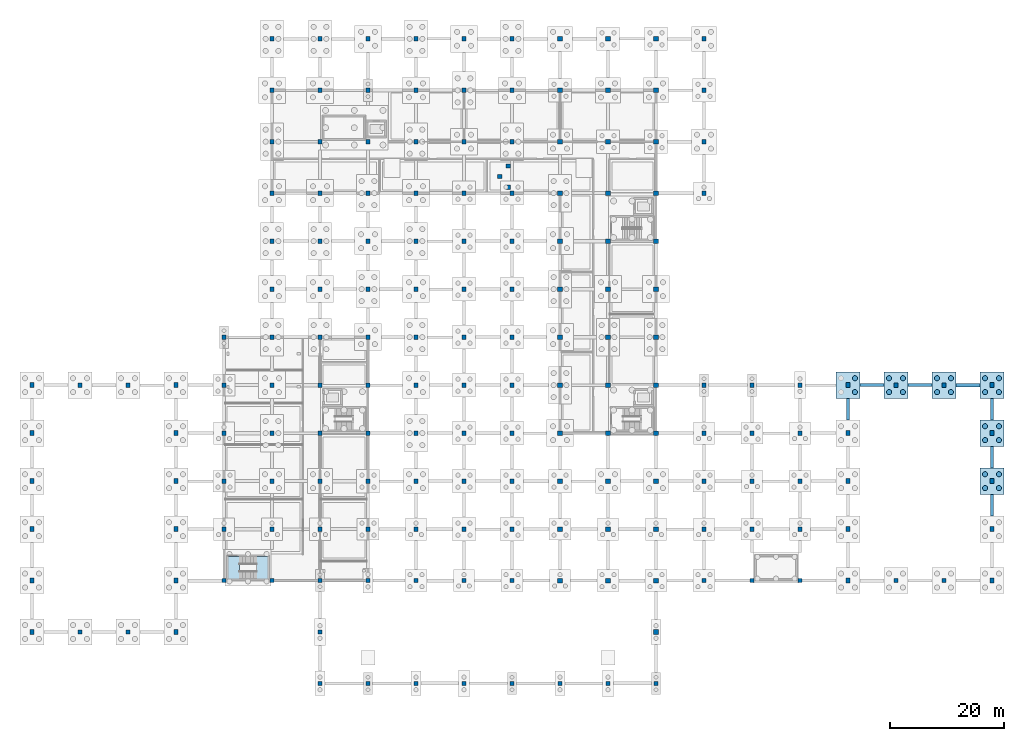
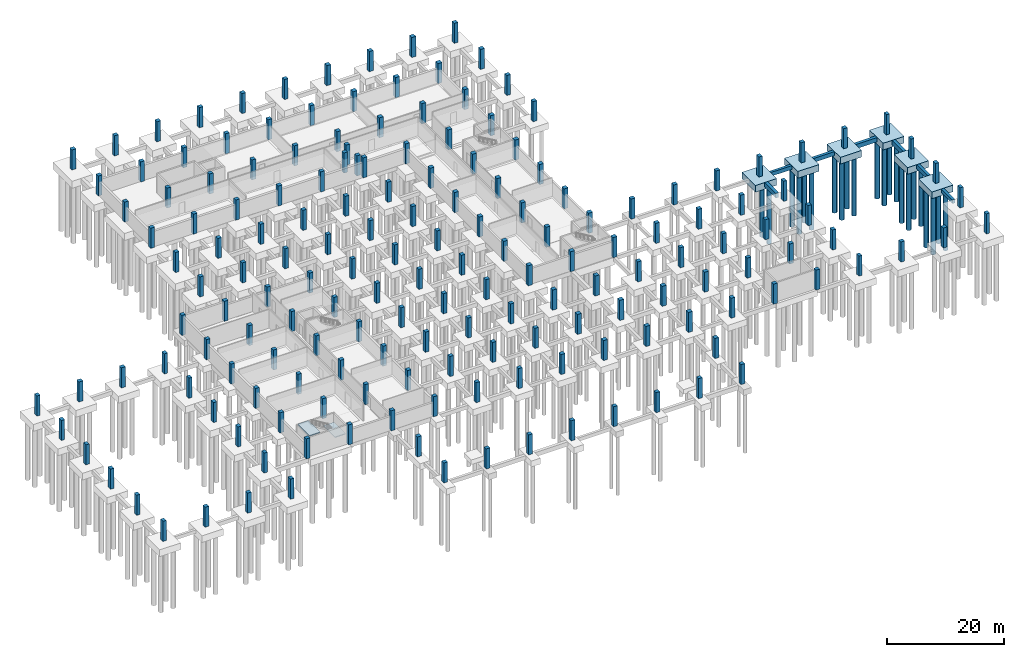
# One storey, part 10 of 20: 176 columns, 22 piles, 13 footings, 2 slabs, 1 element without a shape of its own.
"""IFC4 building model written with IfcOpenShell, lengths in metres."""

from ifc_helpers import new_model, si_unit, direction, frame, origin, origin_2d, place, context, subcontext, project, spatial, polyline, rectangle, circle, outline, extrude, material, layer, layer_set, material_profile, profile_set, type_object, element, aggregate, save


model = new_model("IFC4")

# Units and contexts
model_context = context("Model", 3, precision=1e-05, world=origin(), true_north=direction((0.0, 1.0)))
body_context = subcontext(model_context, "Body", "Model", "MODEL_VIEW")
ifc_project = project(units=[si_unit("LENGTHUNIT", "METRE"), si_unit("AREAUNIT", "SQUARE_METRE"), si_unit("VOLUMEUNIT", "CUBIC_METRE"), si_unit("PLANEANGLEUNIT", "RADIAN"), si_unit("MASSUNIT", "GRAM", prefix="KILO")], contexts=[model_context])

# Site, building, storey
site_placement = place(None, origin())
site = spatial("IfcSite", under=ifc_project, at=site_placement, CompositionType="ELEMENT")
building_placement = place(site_placement, origin())
building = spatial("IfcBuilding", under=site, at=building_placement, Name="Vireocrest Preparatory School", CompositionType="ELEMENT")
storey_placement = place(building_placement, frame((0.0, 0.0, -4.199951171875)))
storey = spatial("IfcBuildingStorey", under=building, at=storey_placement, Name="B01", CompositionType="ELEMENT", Elevation=-4.199951171875)

# Piles
ifc_material_1 = material(Name="Concrete 40 MPa", Category="concrete")
ifc_material_profile_1 = material_profile(ifc_material_1, circle(Radius=0.449951171875, at=origin_2d()), Name="BORED PILE 900")
ifc_profile_set_1 = profile_set([ifc_material_profile_1], Name="Concrete 40 MPa")
pile_type = type_object("IfcPileType", Name="Bored Concrete Pile 900", PredefinedType="BORED", material=ifc_profile_set_1)
for number, where, z_axis, x_axis, name in (
    (1, (144.014892578125, 50.985107421875, -1.300048828125), (0.0, 0.0, -1.0), (1.0, 0.0, 0.0), "Bored Pile P03 163-2"),
    (2, (144.014892578125, 53.4150390625, -1.300048828125), (0.0, 0.0, -1.0), (1.0, 0.0, 0.0), "Bored Pile P03 163-4"),
    (3, (149.985107421875, 50.985107421875, -1.300048828125), (0.0, 0.0, -1.0), (1.0, 0.0, 0.0), "Bored Pile P03 165-1"),
    (4, (152.4150390625, 50.985107421875, -1.300048828125), (0.0, 0.0, -1.0), (1.0, 0.0, 0.0), "Bored Pile P03 165-2"),
    (5, (149.985107421875, 53.4150390625, -1.300048828125), (0.0, 0.0, -1.0), (1.0, 0.0, 0.0), "Bored Pile P03 165-3"),
    (6, (152.4150390625, 53.4150390625, -1.300048828125), (0.0, 0.0, -1.0), (1.0, 0.0, 0.0), "Bored Pile P03 165-4"),
    (7, (158.385009765625, 50.985107421875, -1.300048828125), (0.0, 0.0, -1.0), (1.0, 0.0, 0.0), "Bored Pile P03 167-1"),
    (8, (160.81494140625, 50.985107421875, -1.300048828125), (0.0, 0.0, -1.0), (1.0, 0.0, 0.0), "Bored Pile P03 167-2"),
    (9, (158.385009765625, 53.4150390625, -1.300048828125), (0.0, 0.0, -1.0), (1.0, 0.0, 0.0), "Bored Pile P03 167-3"),
    (10, (160.81494140625, 53.4150390625, -1.300048828125), (0.0, 0.0, -1.0), (1.0, 0.0, 0.0), "Bored Pile P03 167-4"),
    (11, (166.784912109375, 34.18505859375, -1.300048828125), (0.0, 0.0, -1.0), (1.0, 0.0, 0.0), "Bored Pile P03 170-1"),
    (12, (169.215087890625, 34.18505859375, -1.300048828125), (0.0, 0.0, -1.0), (1.0, 0.0, 0.0), "Bored Pile P03 170-2"),
    (13, (166.784912109375, 36.614990234375, -1.300048828125), (0.0, 0.0, -1.0), (1.0, 0.0, 0.0), "Bored Pile P03 170-3"),
    (14, (169.215087890625, 36.614990234375, -1.300048828125), (0.0, 0.0, -1.0), (1.0, 0.0, 0.0), "Bored Pile P03 170-4"),
    (15, (166.784912109375, 42.5849609375, -1.300048828125), (0.0, 0.0, -1.0), (1.0, 0.0, 0.0), "Bored Pile P03 171-1"),
    (16, (169.215087890625, 42.5849609375, -1.300048828125), (0.0, 0.0, -1.0), (1.0, 0.0, 0.0), "Bored Pile P03 171-2"),
    (17, (166.784912109375, 45.014892578125, -1.300048828125), (0.0, 0.0, -1.0), (1.0, 0.0, 0.0), "Bored Pile P03 171-3"),
    (18, (169.215087890625, 45.014892578125, -1.300048828125), (0.0, 0.0, -1.0), (1.0, 0.0, 0.0), "Bored Pile P03 171-4"),
    (19, (166.784912109375, 50.985107421875, -1.300048828125), (0.0, 0.0, -1.0), (1.0, 0.0, 0.0), "Bored Pile P03 172-1"),
    (20, (169.215087890625, 50.985107421875, -1.300048828125), (0.0, 0.0, -1.0), (1.0, 0.0, 0.0), "Bored Pile P03 172-2"),
    (21, (166.784912109375, 53.4150390625, -1.300048828125), (0.0, 0.0, -1.0), (1.0, 0.0, 0.0), "Bored Pile P03 172-3"),
    (22, (169.215087890625, 53.4150390625, -1.300048828125), (0.0, 0.0, -1.0), (1.0, 0.0, 0.0), "Bored Pile P03 172-4"),
):
    element("IfcPile", number, at=place(storey_placement, frame(where, z_axis=z_axis, x_axis=x_axis)), inside=storey, type_object=pile_type, Name=name, PredefinedType="BORED", context=body_context, shape_type="SweptSolid", body=[
        extrude(circle(Radius=0.449951171875, at=origin_2d()), origin(), (0.0, 0.0, 1.0), 12.5),
    ])

# Footings
footing_type_1 = type_object("IfcFootingType", Name="Four-Pile Vault Pier Cap 4200x4600x1400", PredefinedType="PILE_CAP", material=ifc_material_1)
for number, where, z_axis, x_axis, name in (
    (23, (142.800048828125, 52.199951171875, -1.39990234375), (0.0, 0.0, 1.0), (1.0, 0.0, 0.0), "Pile Cap PC10 at (142.8, 52.2)"),
    (24, (151.199951171875, 52.199951171875, -1.39990234375), (0.0, 0.0, 1.0), (1.0, 0.0, 0.0), "Pile Cap PC10 at (151.2, 52.2)"),
    (25, (159.60009765625, 52.199951171875, -1.39990234375), (0.0, 0.0, 1.0), (1.0, 0.0, 0.0), "Pile Cap PC10 at (159.6, 52.2)"),
    (26, (168.0, 35.39990234375, -1.39990234375), (0.0, 0.0, 1.0), (1.0, 0.0, 0.0), "Pile Cap PC10 at (168.0, 35.4)"),
    (27, (168.0, 43.800048828125, -1.39990234375), (0.0, 0.0, 1.0), (1.0, 0.0, 0.0), "Pile Cap PC10 at (168.0, 43.8)"),
    (28, (168.0, 52.199951171875, -1.39990234375), (0.0, 0.0, 1.0), (1.0, 0.0, 0.0), "Pile Cap PC10 at (168.0, 52.2)"),
):
    element("IfcFooting", number, at=place(storey_placement, frame(where, z_axis=z_axis, x_axis=x_axis)), inside=storey, type_object=footing_type_1, Name=name, PredefinedType="PILE_CAP", context=body_context, shape_type="SweptSolid", body=[
        extrude(rectangle(XDim=4.199951171875, YDim=4.60009765625, at=origin_2d()), origin(), (0.0, 0.0, 1.0), 1.39990234375),
    ])
ifc_material_profile_2 = material_profile(ifc_material_1, rectangle(XDim=0.5, YDim=0.800048828125, at=origin_2d()), Name="GB 500x800")
ifc_profile_set_2 = profile_set([ifc_material_profile_2], Name="Concrete 40 MPa")
footing_type_2 = type_object("IfcFootingType", Name="RC Foundation Grade Beam 500x800", PredefinedType="FOOTING_BEAM", material=ifc_profile_set_2)
footing_1_placement = place(storey_placement, frame((144.89990234375, 52.199951171875, -0.400146484375), z_axis=(1.0, 0.0, 0.0), x_axis=(0.0, 1.0, 0.0)))
element("IfcFooting", 29, at=footing_1_placement, inside=storey, type_object=footing_type_2, Name="Foundation Grade Beam GB01-081", PredefinedType="FOOTING_BEAM", context=body_context, shape_type="SweptSolid", body=[
    extrude(rectangle(XDim=0.5, YDim=0.800048828125, at=origin_2d()), origin(), (0.0, 0.0, 1.0), 4.2001953125),
])
footing_2_placement = place(storey_placement, frame((168.0, 29.300048828125, -0.400146484375), z_axis=(0.0, 1.0, 0.0), x_axis=(-1.0, 0.0, 0.0)))
element("IfcFooting", 30, at=footing_2_placement, inside=storey, type_object=footing_type_2, Name="Foundation Grade Beam GB01-273", PredefinedType="FOOTING_BEAM", context=body_context, shape_type="SweptSolid", body=[
    extrude(rectangle(XDim=0.5, YDim=0.800048828125, at=origin_2d()), origin(), (0.0, 0.0, 1.0), 3.800048828125),
])
ifc_material_profile_3 = material_profile(ifc_material_1, rectangle(XDim=0.550048828125, YDim=0.85009765625, at=origin_2d()), Name="GB 550x850")
ifc_profile_set_3 = profile_set([ifc_material_profile_3], Name="Concrete 40 MPa")
footing_type_3 = type_object("IfcFootingType", Name="RC Foundation Grade Beam 550x850", PredefinedType="FOOTING_BEAM", material=ifc_profile_set_3)
footing_3_placement = place(storey_placement, frame((153.300048828125, 52.199951171875, -0.425048828125), z_axis=(1.0, 0.0, 0.0), x_axis=(0.0, 1.0, 0.0)))
element("IfcFooting", 31, at=footing_3_placement, inside=storey, type_object=footing_type_3, Name="Foundation Grade Beam GB02-082", PredefinedType="FOOTING_BEAM", context=body_context, shape_type="SweptSolid", body=[
    extrude(rectangle(XDim=0.550048828125, YDim=0.85009765625, at=origin_2d()), origin(), (0.0, 0.0, 1.0), 4.199951171875),
])
footing_4_placement = place(storey_placement, frame((168.0, 37.699951171875, -0.425048828125), z_axis=(0.0, 1.0, 0.0), x_axis=(-1.0, 0.0, 0.0)))
element("IfcFooting", 32, at=footing_4_placement, inside=storey, type_object=footing_type_3, Name="Foundation Grade Beam GB02-274", PredefinedType="FOOTING_BEAM", context=body_context, shape_type="SweptSolid", body=[
    extrude(rectangle(XDim=0.550048828125, YDim=0.85009765625, at=origin_2d()), origin(), (0.0, 0.0, 1.0), 3.800048828125),
])
ifc_material_profile_4 = material_profile(ifc_material_1, rectangle(XDim=0.60009765625, YDim=0.89990234375, at=origin_2d()), Name="GB 600x900")
ifc_profile_set_4 = profile_set([ifc_material_profile_4], Name="Concrete 40 MPa")
footing_type_4 = type_object("IfcFootingType", Name="RC Foundation Grade Beam 600x900", PredefinedType="FOOTING_BEAM", material=ifc_profile_set_4)
footing_5_placement = place(storey_placement, frame((161.699951171875, 52.199951171875, -0.449951171875), z_axis=(1.0, 0.0, 0.0), x_axis=(0.0, 1.0, 0.0)))
element("IfcFooting", 33, at=footing_5_placement, inside=storey, type_object=footing_type_4, Name="Foundation Grade Beam GB03-083", PredefinedType="FOOTING_BEAM", context=body_context, shape_type="SweptSolid", body=[
    extrude(rectangle(XDim=0.60009765625, YDim=0.89990234375, at=origin_2d()), origin(), (0.0, 0.0, 1.0), 4.199951171875),
])
footing_6_placement = place(storey_placement, frame((168.0, 46.10009765625, -0.449951171875), z_axis=(0.0, 1.0, 0.0), x_axis=(-1.0, 0.0, 0.0)))
element("IfcFooting", 34, at=footing_6_placement, inside=storey, type_object=footing_type_4, Name="Foundation Grade Beam GB03-275", PredefinedType="FOOTING_BEAM", context=body_context, shape_type="SweptSolid", body=[
    extrude(rectangle(XDim=0.60009765625, YDim=0.89990234375, at=origin_2d()), origin(), (0.0, 0.0, 1.0), 3.7998046875),
])
ifc_material_profile_5 = material_profile(ifc_material_1, rectangle(XDim=0.60009765625, YDim=0.949951171875, at=origin_2d()), Name="GB 600x950")
ifc_profile_set_5 = profile_set([ifc_material_profile_5], Name="Concrete 40 MPa")
footing_type_5 = type_object("IfcFootingType", Name="RC Vault Tie Grade Beam 600x950", PredefinedType="FOOTING_BEAM", material=ifc_profile_set_5)
footing_7_placement = place(storey_placement, frame((142.800048828125, 46.10009765625, -0.47509765625), z_axis=(0.0, 1.0, 0.0), x_axis=(-1.0, 0.0, 0.0)))
element("IfcFooting", 35, at=footing_7_placement, inside=storey, type_object=footing_type_5, Name="Foundation Grade Beam GB07-271", PredefinedType="FOOTING_BEAM", context=body_context, shape_type="SweptSolid", body=[
    extrude(rectangle(XDim=0.60009765625, YDim=0.949951171875, at=origin_2d()), origin(), (0.0, 0.0, 1.0), 3.7998046875),
])

# Columns
ifc_material_2 = material(Name="Concrete 45 MPa", Category="concrete")
ifc_material_profile_6 = material_profile(ifc_material_2, rectangle(XDim=0.75, YDim=0.75, at=origin_2d()), Name="RC 750x750")
ifc_profile_set_6 = profile_set([ifc_material_profile_6], Name="Concrete 45 MPa")
column_type_1 = type_object("IfcColumnType", Name="RC Foundation Pier 750x750", PredefinedType="COLUMN", material=ifc_profile_set_6)
for number, where, z_axis, x_axis, name in (
    (36, (8.39990234375, 9.0, 0.0), (0.0, 0.0, 1.0), (1.0, 0.0, 0.0), "Column C08 B01 2/B"),
    (37, (8.39990234375, 52.199951171875, 0.0), (0.0, 0.0, 1.0), (1.0, 0.0, 0.0), "Column C08 B01 2/G"),
    (38, (16.800048828125, 9.0, 0.0), (0.0, 0.0, 1.0), (1.0, 0.0, 0.0), "Column C08 B01 3/B"),
    (39, (16.800048828125, 52.199951171875, 0.0), (0.0, 0.0, 1.0), (1.0, 0.0, 0.0), "Column C08 B01 3/G"),
    (40, (33.60009765625, 18.0, 0.0), (0.0, 0.0, 1.0), (1.0, 0.0, 0.0), "Column C08 B01 5/C"),
    (41, (33.60009765625, 27.0, 0.0), (0.0, 0.0, 1.0), (1.0, 0.0, 0.0), "Column C08 B01 5/D"),
    (42, (33.60009765625, 35.39990234375, 0.0), (0.0, 0.0, 1.0), (1.0, 0.0, 0.0), "Column C08 B01 5/E"),
    (43, (33.60009765625, 43.800048828125, 0.0), (0.0, 0.0, 1.0), (1.0, 0.0, 0.0), "Column C08 B01 5/F"),
    (44, (33.60009765625, 52.199951171875, 0.0), (0.0, 0.0, 1.0), (1.0, 0.0, 0.0), "Column C08 B01 5/G"),
    (45, (33.60009765625, 60.60009765625, 0.0), (0.0, 0.0, 1.0), (1.0, 0.0, 0.0), "Column C08 B01 5/H"),
    (46, (42.0, 18.0, 0.0), (0.0, 0.0, 1.0), (1.0, 0.0, 0.0), "Column C08 B01 6/C"),
    (47, (42.0, 27.0, 0.0), (0.0, 0.0, 1.0), (1.0, 0.0, 0.0), "Column C08 B01 6/D"),
    (48, (42.0, 35.39990234375, 0.0), (0.0, 0.0, 1.0), (1.0, 0.0, 0.0), "Column C08 B01 6/E"),
    (49, (42.0, 43.800048828125, 0.0), (0.0, 0.0, 1.0), (1.0, 0.0, 0.0), "Column C08 B01 6/F"),
    (50, (42.0, 52.199951171875, 0.0), (0.0, 0.0, 1.0), (1.0, 0.0, 0.0), "Column C08 B01 6/G"),
    (51, (42.0, 60.60009765625, 0.0), (0.0, 0.0, 1.0), (1.0, 0.0, 0.0), "Column C08 B01 6/H"),
    (52, (42.0, 69.0, 0.0), (0.0, 0.0, 1.0), (1.0, 0.0, 0.0), "Column C08 B01 6/J"),
    (53, (42.0, 77.39990234375, 0.0), (0.0, 0.0, 1.0), (1.0, 0.0, 0.0), "Column C08 B01 6/K"),
    (54, (42.0, 85.800048828125, 0.0), (0.0, 0.0, 1.0), (1.0, 0.0, 0.0), "Column C08 B01 6/L"),
    (55, (42.0, 94.800048828125, 0.0), (0.0, 0.0, 1.0), (1.0, 0.0, 0.0), "Column C08 B01 6/M"),
    (56, (42.0, 103.800048828125, 0.0), (0.0, 0.0, 1.0), (1.0, 0.0, 0.0), "Column C08 B01 6/N"),
    (57, (42.0, 112.800048828125, 0.0), (0.0, 0.0, 1.0), (1.0, 0.0, 0.0), "Column C08 B01 6/P"),
    (58, (50.39990234375, 0.0, 0.0), (0.0, 0.0, 1.0), (1.0, 0.0, 0.0), "Column C08 B01 7/A"),
    (59, (50.39990234375, 9.0, 0.0), (0.0, 0.0, 1.0), (1.0, 0.0, 0.0), "Column C08 B01 7/B"),
    (60, (50.39990234375, 18.0, 0.0), (0.0, 0.0, 1.0), (1.0, 0.0, 0.0), "Column C08 B01 7/C"),
    (61, (50.39990234375, 27.0, 0.0), (0.0, 0.0, 1.0), (1.0, 0.0, 0.0), "Column C08 B01 7/D"),
    (62, (50.39990234375, 35.39990234375, 0.0), (0.0, 0.0, 1.0), (1.0, 0.0, 0.0), "Column C08 B01 7/E"),
    (63, (50.39990234375, 43.800048828125, 0.0), (0.0, 0.0, 1.0), (1.0, 0.0, 0.0), "Column C08 B01 7/F"),
    (64, (50.39990234375, 52.199951171875, 0.0), (0.0, 0.0, 1.0), (1.0, 0.0, 0.0), "Column C08 B01 7/G"),
    (65, (50.39990234375, 60.60009765625, 0.0), (0.0, 0.0, 1.0), (1.0, 0.0, 0.0), "Column C08 B01 7/H"),
    (66, (50.39990234375, 69.0, 0.0), (0.0, 0.0, 1.0), (1.0, 0.0, 0.0), "Column C08 B01 7/J"),
    (67, (50.39990234375, 77.39990234375, 0.0), (0.0, 0.0, 1.0), (1.0, 0.0, 0.0), "Column C08 B01 7/K"),
    (68, (50.39990234375, 85.800048828125, 0.0), (0.0, 0.0, 1.0), (1.0, 0.0, 0.0), "Column C08 B01 7/L"),
    (69, (50.39990234375, 94.800048828125, 0.0), (0.0, 0.0, 1.0), (1.0, 0.0, 0.0), "Column C08 B01 7/M"),
    (70, (50.39990234375, 103.800048828125, 0.0), (0.0, 0.0, 1.0), (1.0, 0.0, 0.0), "Column C08 B01 7/N"),
    (71, (50.39990234375, 112.800048828125, 0.0), (0.0, 0.0, 1.0), (1.0, 0.0, 0.0), "Column C08 B01 7/P"),
    (72, (58.800048828125, 0.0, 0.0), (0.0, 0.0, 1.0), (1.0, 0.0, 0.0), "Column C08 B01 8/A"),
    (73, (58.800048828125, 18.0, 0.0), (0.0, 0.0, 1.0), (1.0, 0.0, 0.0), "Column C08 B01 8/C"),
    (74, (58.800048828125, 27.0, 0.0), (0.0, 0.0, 1.0), (1.0, 0.0, 0.0), "Column C08 B01 8/D"),
    (75, (58.800048828125, 35.39990234375, 0.0), (0.0, 0.0, 1.0), (1.0, 0.0, 0.0), "Column C08 B01 8/E"),
    (76, (58.800048828125, 43.800048828125, 0.0), (0.0, 0.0, 1.0), (1.0, 0.0, 0.0), "Column C08 B01 8/F"),
    (77, (58.800048828125, 52.199951171875, 0.0), (0.0, 0.0, 1.0), (1.0, 0.0, 0.0), "Column C08 B01 8/G"),
    (78, (58.800048828125, 60.60009765625, 0.0), (0.0, 0.0, 1.0), (1.0, 0.0, 0.0), "Column C08 B01 8/H"),
    (79, (58.800048828125, 69.0, 0.0), (0.0, 0.0, 1.0), (1.0, 0.0, 0.0), "Column C08 B01 8/J"),
    (80, (58.800048828125, 77.39990234375, 0.0), (0.0, 0.0, 1.0), (1.0, 0.0, 0.0), "Column C08 B01 8/K"),
    (81, (58.800048828125, 85.800048828125, 0.0), (0.0, 0.0, 1.0), (1.0, 0.0, 0.0), "Column C08 B01 8/L"),
    (82, (58.800048828125, 94.800048828125, 0.0), (0.0, 0.0, 1.0), (1.0, 0.0, 0.0), "Column C08 B01 8/M"),
    (83, (58.800048828125, 103.800048828125, 0.0), (0.0, 0.0, 1.0), (1.0, 0.0, 0.0), "Column C08 B01 8/N"),
    (84, (58.800048828125, 112.800048828125, 0.0), (0.0, 0.0, 1.0), (1.0, 0.0, 0.0), "Column C08 B01 8/P"),
    (85, (67.199951171875, 0.0, 0.0), (0.0, 0.0, 1.0), (1.0, 0.0, 0.0), "Column C08 B01 9/A"),
    (86, (67.199951171875, 18.0, 0.0), (0.0, 0.0, 1.0), (1.0, 0.0, 0.0), "Column C08 B01 9/C"),
    (87, (67.199951171875, 27.0, 0.0), (0.0, 0.0, 1.0), (1.0, 0.0, 0.0), "Column C08 B01 9/D"),
    (88, (67.199951171875, 35.39990234375, 0.0), (0.0, 0.0, 1.0), (1.0, 0.0, 0.0), "Column C08 B01 9/E"),
    (89, (67.199951171875, 43.800048828125, 0.0), (0.0, 0.0, 1.0), (1.0, 0.0, 0.0), "Column C08 B01 9/F"),
    (90, (67.199951171875, 52.199951171875, 0.0), (0.0, 0.0, 1.0), (1.0, 0.0, 0.0), "Column C08 B01 9/G"),
    (91, (67.199951171875, 60.60009765625, 0.0), (0.0, 0.0, 1.0), (1.0, 0.0, 0.0), "Column C08 B01 9/H"),
    (92, (67.199951171875, 69.0, 0.0), (0.0, 0.0, 1.0), (1.0, 0.0, 0.0), "Column C08 B01 9/J"),
    (93, (67.199951171875, 77.39990234375, 0.0), (0.0, 0.0, 1.0), (1.0, 0.0, 0.0), "Column C08 B01 9/K"),
    (94, (67.199951171875, 85.800048828125, 0.0), (0.0, 0.0, 1.0), (1.0, 0.0, 0.0), "Column C08 B01 9/L"),
    (95, (67.199951171875, 94.800048828125, 0.0), (0.0, 0.0, 1.0), (1.0, 0.0, 0.0), "Column C08 B01 9/M"),
    (96, (67.199951171875, 103.800048828125, 0.0), (0.0, 0.0, 1.0), (1.0, 0.0, 0.0), "Column C08 B01 9/N"),
    (97, (67.199951171875, 112.800048828125, 0.0), (0.0, 0.0, 1.0), (1.0, 0.0, 0.0), "Column C08 B01 9/P"),
    (98, (75.60009765625, 0.0, 0.0), (0.0, 0.0, 1.0), (1.0, 0.0, 0.0), "Column C08 B01 10/A"),
    (99, (75.60009765625, 18.0, 0.0), (0.0, 0.0, 1.0), (1.0, 0.0, 0.0), "Column C08 B01 10/C"),
    (100, (75.60009765625, 94.800048828125, 0.0), (0.0, 0.0, 1.0), (1.0, 0.0, 0.0), "Column C08 B01 10/M"),
    (101, (75.60009765625, 103.800048828125, 0.0), (0.0, 0.0, 1.0), (1.0, 0.0, 0.0), "Column C08 B01 10/N"),
    (102, (75.60009765625, 112.800048828125, 0.0), (0.0, 0.0, 1.0), (1.0, 0.0, 0.0), "Column C08 B01 10/P"),
    (103, (84.0, 0.0, 0.0), (0.0, 0.0, 1.0), (1.0, 0.0, 0.0), "Column C08 B01 11/A"),
    (104, (84.0, 18.0, 0.0), (0.0, 0.0, 1.0), (1.0, 0.0, 0.0), "Column C08 B01 11/C"),
    (105, (84.0, 94.800048828125, 0.0), (0.0, 0.0, 1.0), (1.0, 0.0, 0.0), "Column C08 B01 11/M"),
    (106, (84.0, 103.800048828125, 0.0), (0.0, 0.0, 1.0), (1.0, 0.0, 0.0), "Column C08 B01 11/N"),
    (107, (84.0, 112.800048828125, 0.0), (0.0, 0.0, 1.0), (1.0, 0.0, 0.0), "Column C08 B01 11/P"),
    (108, (92.39990234375, 0.0, 0.0), (0.0, 0.0, 1.0), (1.0, 0.0, 0.0), "Column C08 B01 12/A"),
    (109, (100.800048828125, 0.0, 0.0), (0.0, 0.0, 1.0), (1.0, 0.0, 0.0), "Column C08 B01 13/A"),
    (110, (109.199951171875, 0.0, 0.0), (0.0, 0.0, 1.0), (1.0, 0.0, 0.0), "Column C08 B01 14/A"),
    (111, (117.60009765625, 18.0, 0.0), (0.0, 0.0, 1.0), (1.0, 0.0, 0.0), "Column C08 B01 15/C"),
    (112, (117.60009765625, 27.0, 0.0), (0.0, 0.0, 1.0), (1.0, 0.0, 0.0), "Column C08 B01 15/D"),
    (113, (117.60009765625, 35.39990234375, 0.0), (0.0, 0.0, 1.0), (1.0, 0.0, 0.0), "Column C08 B01 15/E"),
    (114, (117.60009765625, 43.800048828125, 0.0), (0.0, 0.0, 1.0), (1.0, 0.0, 0.0), "Column C08 B01 15/F"),
    (115, (117.60009765625, 52.199951171875, 0.0), (0.0, 0.0, 1.0), (1.0, 0.0, 0.0), "Column C08 B01 15/G"),
    (116, (117.60009765625, 85.800048828125, 0.0), (0.0, 0.0, 1.0), (1.0, 0.0, 0.0), "Column C08 B01 15/L"),
    (117, (117.60009765625, 94.800048828125, 0.0), (0.0, 0.0, 1.0), (1.0, 0.0, 0.0), "Column C08 B01 15/M"),
    (118, (117.60009765625, 103.800048828125, 0.0), (0.0, 0.0, 1.0), (1.0, 0.0, 0.0), "Column C08 B01 15/N"),
    (119, (117.60009765625, 112.800048828125, 0.0), (0.0, 0.0, 1.0), (1.0, 0.0, 0.0), "Column C08 B01 15/P"),
    (120, (126.0, 18.0, 0.0), (0.0, 0.0, 1.0), (1.0, 0.0, 0.0), "Column C08 B01 16/C"),
    (121, (126.0, 27.0, 0.0), (0.0, 0.0, 1.0), (1.0, 0.0, 0.0), "Column C08 B01 16/D"),
    (122, (126.0, 35.39990234375, 0.0), (0.0, 0.0, 1.0), (1.0, 0.0, 0.0), "Column C08 B01 16/E"),
    (123, (126.0, 43.800048828125, 0.0), (0.0, 0.0, 1.0), (1.0, 0.0, 0.0), "Column C08 B01 16/F"),
    (124, (126.0, 52.199951171875, 0.0), (0.0, 0.0, 1.0), (1.0, 0.0, 0.0), "Column C08 B01 16/G"),
    (125, (134.39990234375, 18.0, 0.0), (0.0, 0.0, 1.0), (1.0, 0.0, 0.0), "Column C08 B01 17/C"),
    (126, (134.39990234375, 27.0, 0.0), (0.0, 0.0, 1.0), (1.0, 0.0, 0.0), "Column C08 B01 17/D"),
    (127, (134.39990234375, 35.39990234375, 0.0), (0.0, 0.0, 1.0), (1.0, 0.0, 0.0), "Column C08 B01 17/E"),
    (128, (134.39990234375, 43.800048828125, 0.0), (0.0, 0.0, 1.0), (1.0, 0.0, 0.0), "Column C08 B01 17/F"),
    (129, (134.39990234375, 52.199951171875, 0.0), (0.0, 0.0, 1.0), (1.0, 0.0, 0.0), "Column C08 B01 17/G"),
    (130, (151.199951171875, 18.0, 0.0), (0.0, 0.0, 1.0), (1.0, 0.0, 0.0), "Column C08 B01 19/C"),
    (131, (151.199951171875, 52.199951171875, 0.0), (0.0, 0.0, 1.0), (1.0, 0.0, 0.0), "Column C08 B01 19/G"),
    (132, (159.60009765625, 18.0, 0.0), (0.0, 0.0, 1.0), (1.0, 0.0, 0.0), "Column C08 B01 20/C"),
    (133, (159.60009765625, 52.199951171875, 0.0), (0.0, 0.0, 1.0), (1.0, 0.0, 0.0), "Column C08 B01 20/G"),
    (134, (75.60009765625, 27.0, 0.0), (0.0, 0.0, 1.0), (1.0, 0.0, 0.0), "Court Canopy Trunk C08 W1 B01"),
    (135, (84.0, 27.0, 0.0), (0.0, 0.0, 1.0), (1.0, 0.0, 0.0), "Court Canopy Trunk C08 E1 B01"),
    (136, (75.60009765625, 35.39990234375, 0.0), (0.0, 0.0, 1.0), (1.0, 0.0, 0.0), "Court Canopy Trunk C08 W2 B01"),
    (137, (84.0, 35.39990234375, 0.0), (0.0, 0.0, 1.0), (1.0, 0.0, 0.0), "Court Canopy Trunk C08 E2 B01"),
    (138, (75.60009765625, 43.800048828125, 0.0), (0.0, 0.0, 1.0), (1.0, 0.0, 0.0), "Court Canopy Trunk C08 W3 B01"),
    (139, (84.0, 43.800048828125, 0.0), (0.0, 0.0, 1.0), (1.0, 0.0, 0.0), "Court Canopy Trunk C08 E3 B01"),
    (140, (75.60009765625, 52.199951171875, 0.0), (0.0, 0.0, 1.0), (1.0, 0.0, 0.0), "Court Canopy Trunk C08 W4 B01"),
    (141, (84.0, 52.199951171875, 0.0), (0.0, 0.0, 1.0), (1.0, 0.0, 0.0), "Court Canopy Trunk C08 E4 B01"),
    (142, (75.60009765625, 60.60009765625, 0.0), (0.0, 0.0, 1.0), (1.0, 0.0, 0.0), "Court Canopy Trunk C08 W5 B01"),
    (143, (84.0, 60.60009765625, 0.0), (0.0, 0.0, 1.0), (1.0, 0.0, 0.0), "Court Canopy Trunk C08 E5 B01"),
    (144, (75.60009765625, 69.0, 0.0), (0.0, 0.0, 1.0), (1.0, 0.0, 0.0), "Court Canopy Trunk C08 W6 B01"),
    (145, (84.0, 69.0, 0.0), (0.0, 0.0, 1.0), (1.0, 0.0, 0.0), "Court Canopy Trunk C08 E6 B01"),
    (146, (75.60009765625, 77.39990234375, 0.0), (0.0, 0.0, 1.0), (1.0, 0.0, 0.0), "Court Canopy Trunk C08 W7 B01"),
    (147, (84.0, 77.39990234375, 0.0), (0.0, 0.0, 1.0), (1.0, 0.0, 0.0), "Court Canopy Trunk C08 E7 B01"),
    (148, (75.60009765625, 85.800048828125, 0.0), (0.0, 0.0, 1.0), (1.0, 0.0, 0.0), "Court Canopy Trunk C08 W8 B01"),
    (149, (84.0, 85.800048828125, 0.0), (0.0, 0.0, 1.0), (1.0, 0.0, 0.0), "Court Canopy Trunk C08 E8 B01"),
    (150, (83.35009765625, 86.85009765625, 0.0), (0.0, 0.0, 1.0), (1.0, 0.0, 0.0), "Feature Stair Foundation Pier SE"),
    (151, (83.35009765625, 90.550048828125, 0.0), (0.0, 0.0, 1.0), (1.0, 0.0, 0.0), "Feature Stair Foundation Pier NE"),
    (152, (81.8701171875, 88.699951171875, 0.0), (0.0, 0.0, 1.0), (1.0, 0.0, 0.0), "Feature Stair Foundation Pier W"),
):
    element("IfcColumn", number, at=place(storey_placement, frame(where, z_axis=z_axis, x_axis=x_axis)), inside=storey, type_object=column_type_1, Name=name, PredefinedType="COLUMN", context=body_context, shape_type="SweptSolid", body=[
        extrude(rectangle(XDim=0.75, YDim=0.75, at=origin_2d()), origin(), (0.0, 0.0, 1.0), 4.199951171875),
    ])
ifc_material_profile_7 = material_profile(ifc_material_2, rectangle(XDim=0.800048828125, YDim=0.800048828125, at=origin_2d()), Name="RC 800x800")
ifc_profile_set_7 = profile_set([ifc_material_profile_7], Name="Concrete 45 MPa")
column_type_2 = type_object("IfcColumnType", Name="RC Heavy Column 800x800", PredefinedType="COLUMN", material=ifc_profile_set_7)
for number, where, z_axis, x_axis, name in (
    (153, (92.39990234375, 18.0, 0.0), (0.0, 0.0, 1.0), (1.0, 0.0, 0.0), "Column C09 B01 12/C"),
    (154, (92.39990234375, 27.0, 0.0), (0.0, 0.0, 1.0), (1.0, 0.0, 0.0), "Column C09 B01 12/D"),
    (155, (92.39990234375, 35.39990234375, 0.0), (0.0, 0.0, 1.0), (1.0, 0.0, 0.0), "Column C09 B01 12/E"),
    (156, (92.39990234375, 43.800048828125, 0.0), (0.0, 0.0, 1.0), (1.0, 0.0, 0.0), "Column C09 B01 12/F"),
    (157, (92.39990234375, 52.199951171875, 0.0), (0.0, 0.0, 1.0), (1.0, 0.0, 0.0), "Column C09 B01 12/G"),
    (158, (92.39990234375, 60.60009765625, 0.0), (0.0, 0.0, 1.0), (1.0, 0.0, 0.0), "Column C09 B01 12/H"),
    (159, (92.39990234375, 69.0, 0.0), (0.0, 0.0, 1.0), (1.0, 0.0, 0.0), "Column C09 B01 12/J"),
    (160, (92.39990234375, 77.39990234375, 0.0), (0.0, 0.0, 1.0), (1.0, 0.0, 0.0), "Column C09 B01 12/K"),
    (161, (92.39990234375, 85.800048828125, 0.0), (0.0, 0.0, 1.0), (1.0, 0.0, 0.0), "Column C09 B01 12/L"),
    (162, (92.39990234375, 94.800048828125, 0.0), (0.0, 0.0, 1.0), (1.0, 0.0, 0.0), "Column C09 B01 12/M"),
    (163, (92.39990234375, 103.800048828125, 0.0), (0.0, 0.0, 1.0), (1.0, 0.0, 0.0), "Column C09 B01 12/N"),
    (164, (92.39990234375, 112.800048828125, 0.0), (0.0, 0.0, 1.0), (1.0, 0.0, 0.0), "Column C09 B01 12/P"),
    (165, (100.800048828125, 18.0, 0.0), (0.0, 0.0, 1.0), (1.0, 0.0, 0.0), "Column C09 B01 13/C"),
    (166, (100.800048828125, 27.0, 0.0), (0.0, 0.0, 1.0), (1.0, 0.0, 0.0), "Column C09 B01 13/D"),
    (167, (100.800048828125, 35.39990234375, 0.0), (0.0, 0.0, 1.0), (1.0, 0.0, 0.0), "Column C09 B01 13/E"),
    (168, (100.800048828125, 43.800048828125, 0.0), (0.0, 0.0, 1.0), (1.0, 0.0, 0.0), "Column C09 B01 13/F"),
    (169, (100.800048828125, 52.199951171875, 0.0), (0.0, 0.0, 1.0), (1.0, 0.0, 0.0), "Column C09 B01 13/G"),
    (170, (100.800048828125, 60.60009765625, 0.0), (0.0, 0.0, 1.0), (1.0, 0.0, 0.0), "Column C09 B01 13/H"),
    (171, (100.800048828125, 69.0, 0.0), (0.0, 0.0, 1.0), (1.0, 0.0, 0.0), "Column C09 B01 13/J"),
    (172, (100.800048828125, 77.39990234375, 0.0), (0.0, 0.0, 1.0), (1.0, 0.0, 0.0), "Column C09 B01 13/K"),
    (173, (100.800048828125, 85.800048828125, 0.0), (0.0, 0.0, 1.0), (1.0, 0.0, 0.0), "Column C09 B01 13/L"),
    (174, (100.800048828125, 94.800048828125, 0.0), (0.0, 0.0, 1.0), (1.0, 0.0, 0.0), "Column C09 B01 13/M"),
    (175, (100.800048828125, 103.800048828125, 0.0), (0.0, 0.0, 1.0), (1.0, 0.0, 0.0), "Column C09 B01 13/N"),
    (176, (100.800048828125, 112.800048828125, 0.0), (0.0, 0.0, 1.0), (1.0, 0.0, 0.0), "Column C09 B01 13/P"),
    (177, (109.199951171875, 9.0, 0.0), (0.0, 0.0, 1.0), (1.0, 0.0, 0.0), "Column C09 B01 14/B"),
    (178, (109.199951171875, 18.0, 0.0), (0.0, 0.0, 1.0), (1.0, 0.0, 0.0), "Column C09 B01 14/C"),
    (179, (109.199951171875, 27.0, 0.0), (0.0, 0.0, 1.0), (1.0, 0.0, 0.0), "Column C09 B01 14/D"),
    (180, (109.199951171875, 35.39990234375, 0.0), (0.0, 0.0, 1.0), (1.0, 0.0, 0.0), "Column C09 B01 14/E"),
    (181, (109.199951171875, 43.800048828125, 0.0), (0.0, 0.0, 1.0), (1.0, 0.0, 0.0), "Column C09 B01 14/F"),
    (182, (109.199951171875, 52.199951171875, 0.0), (0.0, 0.0, 1.0), (1.0, 0.0, 0.0), "Column C09 B01 14/G"),
    (183, (109.199951171875, 60.60009765625, 0.0), (0.0, 0.0, 1.0), (1.0, 0.0, 0.0), "Column C09 B01 14/H"),
    (184, (109.199951171875, 69.0, 0.0), (0.0, 0.0, 1.0), (1.0, 0.0, 0.0), "Column C09 B01 14/J"),
    (185, (109.199951171875, 77.39990234375, 0.0), (0.0, 0.0, 1.0), (1.0, 0.0, 0.0), "Column C09 B01 14/K"),
    (186, (109.199951171875, 85.800048828125, 0.0), (0.0, 0.0, 1.0), (1.0, 0.0, 0.0), "Column C09 B01 14/L"),
    (187, (109.199951171875, 94.800048828125, 0.0), (0.0, 0.0, 1.0), (1.0, 0.0, 0.0), "Column C09 B01 14/M"),
    (188, (109.199951171875, 103.800048828125, 0.0), (0.0, 0.0, 1.0), (1.0, 0.0, 0.0), "Column C09 B01 14/N"),
    (189, (109.199951171875, 112.800048828125, 0.0), (0.0, 0.0, 1.0), (1.0, 0.0, 0.0), "Column C09 B01 14/P"),
):
    element("IfcColumn", number, at=place(storey_placement, frame(where, z_axis=z_axis, x_axis=x_axis)), inside=storey, type_object=column_type_2, Name=name, PredefinedType="COLUMN", context=body_context, shape_type="SweptSolid", body=[
        extrude(rectangle(XDim=0.800048828125, YDim=0.800048828125, at=origin_2d()), origin(), (0.0, 0.0, 1.0), 4.199951171875),
    ])
ifc_material_profile_8 = material_profile(ifc_material_2, rectangle(XDim=0.64990234375, YDim=0.85009765625, at=origin_2d()), Name="RC 650x850")
ifc_profile_set_8 = profile_set([ifc_material_profile_8], Name="Concrete 45 MPa")
column_type_3 = type_object("IfcColumnType", Name="RC Vault Pier 650x850", PredefinedType="COLUMN", material=ifc_profile_set_8)
for number, where, z_axis, x_axis, name in (
    (190, (0.0, 9.0, 0.0), (0.0, 0.0, 1.0), (1.0, 0.0, 0.0), "Column C15 B01 1/B"),
    (191, (0.0, 18.0, 0.0), (0.0, 0.0, 1.0), (1.0, 0.0, 0.0), "Column C15 B01 1/C"),
    (192, (0.0, 27.0, 0.0), (0.0, 0.0, 1.0), (1.0, 0.0, 0.0), "Column C15 B01 1/D"),
    (193, (0.0, 35.39990234375, 0.0), (0.0, 0.0, 1.0), (1.0, 0.0, 0.0), "Column C15 B01 1/E"),
    (194, (0.0, 43.800048828125, 0.0), (0.0, 0.0, 1.0), (1.0, 0.0, 0.0), "Column C15 B01 1/F"),
    (195, (0.0, 52.199951171875, 0.0), (0.0, 0.0, 1.0), (1.0, 0.0, 0.0), "Column C15 B01 1/G"),
    (196, (25.199951171875, 9.0, 0.0), (0.0, 0.0, 1.0), (1.0, 0.0, 0.0), "Column C15 B01 4/B"),
    (197, (25.199951171875, 18.0, 0.0), (0.0, 0.0, 1.0), (1.0, 0.0, 0.0), "Column C15 B01 4/C"),
    (198, (25.199951171875, 27.0, 0.0), (0.0, 0.0, 1.0), (1.0, 0.0, 0.0), "Column C15 B01 4/D"),
    (199, (25.199951171875, 35.39990234375, 0.0), (0.0, 0.0, 1.0), (1.0, 0.0, 0.0), "Column C15 B01 4/E"),
    (200, (25.199951171875, 43.800048828125, 0.0), (0.0, 0.0, 1.0), (1.0, 0.0, 0.0), "Column C15 B01 4/F"),
    (201, (25.199951171875, 52.199951171875, 0.0), (0.0, 0.0, 1.0), (1.0, 0.0, 0.0), "Column C15 B01 4/G"),
    (202, (142.800048828125, 18.0, 0.0), (0.0, 0.0, 1.0), (1.0, 0.0, 0.0), "Column C15 B01 18/C"),
    (203, (142.800048828125, 27.0, 0.0), (0.0, 0.0, 1.0), (1.0, 0.0, 0.0), "Column C15 B01 18/D"),
    (204, (142.800048828125, 35.39990234375, 0.0), (0.0, 0.0, 1.0), (1.0, 0.0, 0.0), "Column C15 B01 18/E"),
    (205, (142.800048828125, 43.800048828125, 0.0), (0.0, 0.0, 1.0), (1.0, 0.0, 0.0), "Column C15 B01 18/F"),
    (206, (142.800048828125, 52.199951171875, 0.0), (0.0, 0.0, 1.0), (1.0, 0.0, 0.0), "Column C15 B01 18/G"),
    (207, (168.0, 18.0, 0.0), (0.0, 0.0, 1.0), (1.0, 0.0, 0.0), "Column C15 B01 21/C"),
    (208, (168.0, 27.0, 0.0), (0.0, 0.0, 1.0), (1.0, 0.0, 0.0), "Column C15 B01 21/D"),
    (209, (168.0, 35.39990234375, 0.0), (0.0, 0.0, 1.0), (1.0, 0.0, 0.0), "Column C15 B01 21/E"),
    (210, (168.0, 43.800048828125, 0.0), (0.0, 0.0, 1.0), (1.0, 0.0, 0.0), "Column C15 B01 21/F"),
    (211, (168.0, 52.199951171875, 0.0), (0.0, 0.0, 1.0), (1.0, 0.0, 0.0), "Column C15 B01 21/G"),
):
    element("IfcColumn", number, at=place(storey_placement, frame(where, z_axis=z_axis, x_axis=x_axis)), inside=storey, type_object=column_type_3, Name=name, PredefinedType="COLUMN", context=body_context, shape_type="SweptSolid", body=[
        extrude(rectangle(XDim=0.64990234375, YDim=0.85009765625, at=origin_2d()), origin(), (0.0, 0.0, 1.0), 4.199951171875),
    ])

# Stair, slabs
stair_type = type_object("IfcStairType", Name="Basement Service Stair 4200 Rise 1350 Wide", PredefinedType="HALF_TURN_STAIR", material=ifc_material_1)
stair_placement = place(storey_placement, origin())
stair = element("IfcStair", 212, at=stair_placement, inside=storey, type_object=stair_type, Name="Two-Run Stair ST5-B01", PredefinedType="HALF_TURN_STAIR")
ifc_layer = layer(ifc_material_1, 0.179931640625)
ifc_layer_set = layer_set([ifc_layer], Name="Concrete 40 MPa")
slab_type = type_object("IfcSlabType", Name="Precast Concrete Stair Landing Slab 180", PredefinedType="LANDING", material=ifc_layer_set)
slab_1_placement = place(storey_placement, frame((0.0, 0.0, 1.919921875)))
slab_1 = element("IfcSlab", 213, at=slab_1_placement, type_object=slab_type, Name="Stair Half-Landing ST5-B01", PredefinedType="LANDING", context=body_context, shape_type="SweptSolid", body=[
    extrude(outline(polyline([(39.280029296875, 18.260009765625), (41.39501953125, 18.260009765625), (41.39501953125, 22.239990234375), (39.280029296875, 22.239990234375), (39.280029296875, 18.260009765625)])), origin(), (0.0, 0.0, 1.0), 0.179931640625),
])
slab_2_placement = place(storey_placement, frame((0.0, 0.0, 4.02001953125)))
slab_2 = element("IfcSlab", 214, at=slab_2_placement, type_object=slab_type, Name="Stair Arrival Landing ST5-B01", PredefinedType="LANDING", context=body_context, shape_type="SweptSolid", body=[
    extrude(outline(polyline([(34.205078125, 18.260009765625), (36.320068359375, 18.260009765625), (36.320068359375, 22.239990234375), (34.205078125, 22.239990234375), (34.205078125, 18.260009765625)])), origin(), (0.0, 0.0, 1.0), 0.179931640625),
])
aggregate(stair, [slab_1, slab_2])

save(model, "model.ifc")
